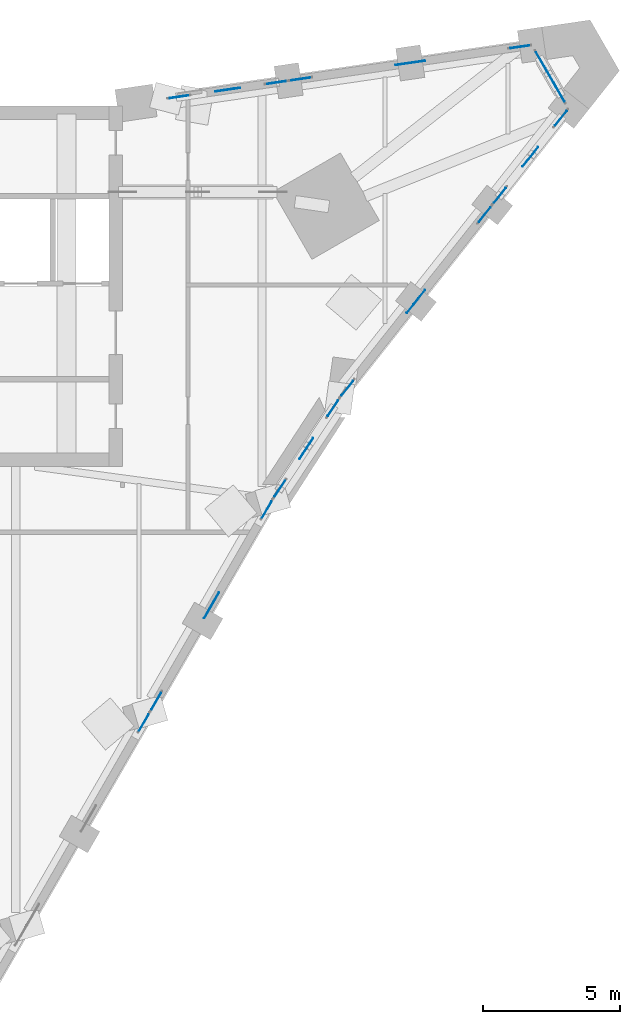
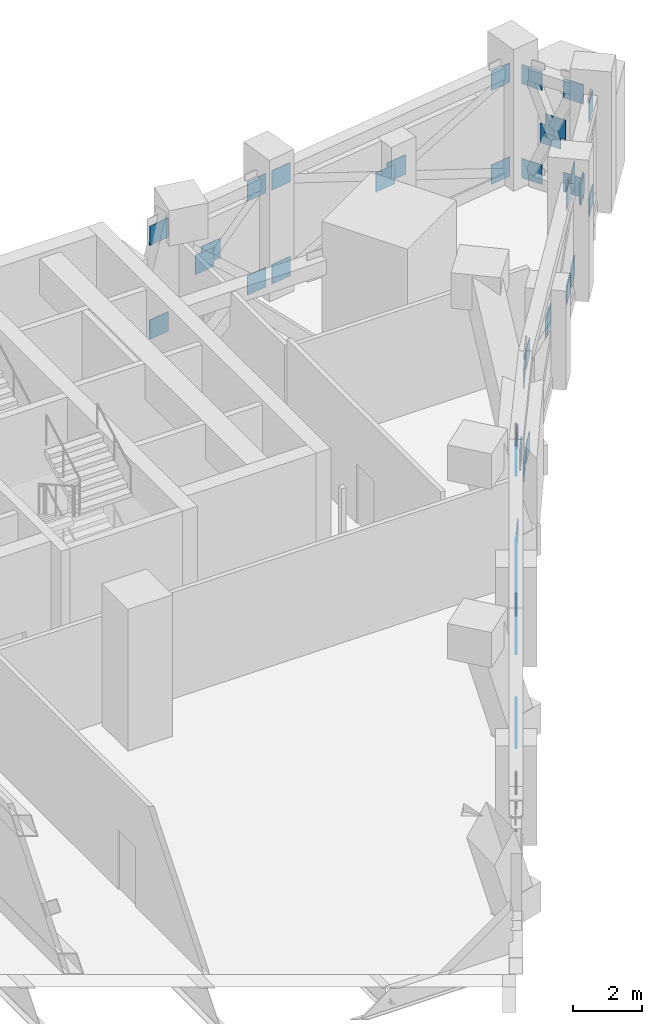
# One storey, part 18 of 20: 44 discrete accessories.
"""IFC4 building model written with IfcOpenShell, lengths in metres."""

from ifc_helpers import new_model, si_unit, direction, frame, origin, origin_2d, place, context, subcontext, project, spatial, rectangle, extrude, material, type_object, element, save


model = new_model("IFC4")

# Units and contexts
model_context = context("Model", 3, precision=1e-05, world=origin(), true_north=direction((0.0, 1.0)))
body_context = subcontext(model_context, "Body", "Model", "MODEL_VIEW")
ifc_project = project(units=[si_unit("LENGTHUNIT", "METRE"), si_unit("AREAUNIT", "SQUARE_METRE"), si_unit("VOLUMEUNIT", "CUBIC_METRE"), si_unit("PLANEANGLEUNIT", "RADIAN"), si_unit("MASSUNIT", "GRAM", prefix="KILO")], contexts=[model_context])

# Site, building, storey
site_placement = place(None, origin())
site = spatial("IfcSite", under=ifc_project, at=site_placement, CompositionType="ELEMENT")
building_placement = place(site_placement, origin())
building = spatial("IfcBuilding", under=site, at=building_placement, Name="Calabash Gate Tower", CompositionType="ELEMENT")
storey_placement = place(building_placement, frame((0.0, 0.0, 139.60009765625)))
storey = spatial("IfcBuildingStorey", under=building, at=storey_placement, Name="L32", CompositionType="ELEMENT", Elevation=139.60009765625)

# Discrete accessories
ifc_material = material(Name="Steel ASTM A572 Gr50", Category="steel")
discrete_accessory_type = type_object("IfcDiscreteAccessoryType", Name="Connection plate 25", PredefinedType="BRACKET", material=ifc_material)
for number, where, z_axis, x_axis, name in (
    (1, (18.181640625, -3.513427734375, 3.37939453125), (0.0, 0.0, 1.0), (0.499999984885, 0.866025412511, 0.0), "Connection plate Belt diagonal L32 48 end"),
    (2, (18.181640625, -3.513427734375, 0.0625), (0.0, 0.0, 1.0), (0.499999954655, 0.866025429964, 0.0), "Connection plate Belt diagonal (split) L32 50 half 2 of 2 end"),
    (3, (18.631591796875, -2.734130859375, 0.0625), (0.0, 0.0, 1.0), (0.49999993954, 0.866025438691, 0.0), "Connection plate Belt diagonal L32 53 start"),
    (4, (22.681640625, 4.28076171875, 3.37939453125), (0.0, 0.0, 1.0), (0.49999993954, 0.866025438691, 0.0), "Connection plate Belt diagonal L32 53 end"),
    (5, (18.631591796875, -2.734130859375, 3.37939453125), (0.0, 0.0, 1.0), (0.49999984885, 0.866025491051, 0.0), "Connection plate Belt diagonal (split) L32 54 half 1 of 2 start"),
    (6, (20.55615234375, 0.599365234375, 1.80322265625), (0.0, 0.0, 1.0), (0.49999984885, 0.866025491051, 0.0), "Connection plate Belt diagonal (split) L32 54 half 1 of 2 end"),
    (7, (20.757080078125, 0.947509765625, 1.638671875), (0.0, 0.0, 1.0), (0.49999984885, 0.866025491051, 0.0), "Connection plate Belt diagonal (split) L32 55 half 2 of 2 start"),
    (8, (22.681640625, 4.28076171875, 0.0625), (0.0, 0.0, 1.0), (0.49999984885, 0.866025491051, 0.0), "Connection plate Belt diagonal (split) L32 55 half 2 of 2 end"),
    (9, (23.155029296875, 5.046630859375, 0.0625), (0.0, 0.0, 1.0), (0.551059856866, 0.834465717781, 0.0), "Connection plate Belt diagonal L32 58 start"),
    (10, (25.097412109375, 7.988037109375, 3.37939453125), (0.0, 0.0, 1.0), (0.551059856866, 0.834465717781, 0.0), "Connection plate Belt diagonal L32 58 end"),
    (11, (23.155029296875, 5.046630859375, 3.37939453125), (0.0, 0.0, 1.0), (0.551060075328, 0.834465573513, 0.0), "Connection plate Belt diagonal (split) L32 59 half 1 of 2 start"),
    (12, (24.06494140625, 6.424560546875, 1.82568359375), (0.0, 0.0, 1.0), (0.551060075328, 0.834465573513, 0.0), "Connection plate Belt diagonal (split) L32 59 half 1 of 2 end"),
    (13, (24.1875, 6.610107421875, 1.6162109375), (0.0, 0.0, 1.0), (0.551059652967, 0.83446585243, 0.0), "Connection plate Belt diagonal (split) L32 60 half 2 of 2 start"),
    (14, (25.097412109375, 7.988037109375, 0.0625), (0.0, 0.0, 1.0), (0.551059652967, 0.83446585243, 0.0), "Connection plate Belt diagonal (split) L32 60 half 2 of 2 end"),
    (15, (25.62548828125, 8.718017578125, 0.0625), (0.0, 0.0, 1.0), (0.620301226961, 0.784363683396, 0.0), "Connection plate Belt diagonal L32 63 start"),
    (16, (30.64990234375, 15.0712890625, 3.37939453125), (0.0, 0.0, 1.0), (0.620301226961, 0.784363683396, 0.0), "Connection plate Belt diagonal L32 63 end"),
    (17, (25.62548828125, 8.718017578125, 3.37939453125), (0.0, 0.0, 1.0), (0.620301185892, 0.784363715875, 0.0), "Connection plate Belt diagonal (split) L32 64 half 1 of 2 start"),
    (18, (28.012939453125, 11.73681640625, 1.80322265625), (0.0, 0.0, 1.0), (0.620301185892, 0.784363715875, 0.0), "Connection plate Belt diagonal (split) L32 64 half 1 of 2 end"),
    (19, (28.262451171875, 12.05224609375, 1.638671875), (0.0, 0.0, 1.0), (0.620301185892, 0.784363715875, 0.0), "Connection plate Belt diagonal (split) L32 65 half 2 of 2 start"),
    (20, (30.64990234375, 15.0712890625, 0.0625), (0.0, 0.0, 1.0), (0.620301185892, 0.784363715875, 0.0), "Connection plate Belt diagonal (split) L32 65 half 2 of 2 end"),
    (21, (31.208251953125, 15.77734375, 0.0625), (0.0, 0.0, 1.0), (0.620301322789, 0.784363607612, 0.0), "Connection plate Belt diagonal L32 68 start"),
    (22, (33.441162109375, 18.600830078125, 3.37939453125), (0.0, 0.0, 1.0), (0.620301322789, 0.784363607612, 0.0), "Connection plate Belt diagonal L32 68 end"),
    (23, (31.208251953125, 15.77734375, 3.37939453125), (0.0, 0.0, 1.0), (0.620301377548, 0.784363564307, 0.0), "Connection plate Belt diagonal (split) L32 69 half 1 of 2 start"),
    (24, (32.2548828125, 17.100830078125, 1.82470703125), (0.0, 0.0, 1.0), (0.620301377548, 0.784363564307, 0.0), "Connection plate Belt diagonal (split) L32 69 half 1 of 2 end"),
    (25, (32.39453125, 17.27734375, 1.6171875), (0.0, 0.0, 1.0), (0.620301377548, 0.784363564307, 0.0), "Connection plate Belt diagonal (split) L32 70 half 2 of 2 start"),
    (26, (33.441162109375, 18.600830078125, 0.0625), (0.0, 0.0, 1.0), (0.620301377548, 0.784363564307, 0.0), "Connection plate Belt diagonal (split) L32 70 half 2 of 2 end"),
    (27, (33.397705078125, 19.512939453125, 0.0625), (0.0, 0.0, 1.0), (-0.500000136035, 0.866025325245, 0.0), "Connection plate Belt diagonal L32 73 start"),
    (28, (32.70263671875, 20.716796875, 3.37939453125), (0.0, 0.0, 1.0), (-0.500000136035, 0.866025325245, 0.0), "Connection plate Belt diagonal L32 73 end"),
    (29, (33.397705078125, 19.512939453125, 3.37939453125), (0.0, 0.0, 1.0), (-0.50000039299, 0.866025176892, 0.0), "Connection plate Belt diagonal (split) L32 74 half 1 of 2 start"),
    (30, (33.09130859375, 20.04345703125, 1.91796875), (0.0, 0.0, 1.0), (-0.50000039299, 0.866025176892, 0.0), "Connection plate Belt diagonal (split) L32 74 half 1 of 2 end"),
    (31, (33.0087890625, 20.1865234375, 1.52392578125), (0.0, 0.0, 1.0), (-0.50000039299, 0.866025176892, 0.0), "Connection plate Belt diagonal (split) L32 75 half 2 of 2 start"),
    (32, (32.70263671875, 20.716796875, 0.0625), (0.0, 0.0, 1.0), (-0.50000039299, 0.866025176892, 0.0), "Connection plate Belt diagonal (split) L32 75 half 2 of 2 end"),
    (33, (31.9345703125, 21.210693359375, 0.0625), (0.0, 0.0, 1.0), (-0.98942952201, -0.145014554354, 0.0), "Connection plate Belt diagonal L32 78 start"),
    (34, (23.920166015625, 20.0361328125, 3.37939453125), (0.0, 0.0, 1.0), (-0.98942952201, -0.145014554354, 0.0), "Connection plate Belt diagonal L32 78 end"),
    (35, (31.9345703125, 21.210693359375, 3.37939453125), (0.0, 0.0, 1.0), (-0.989429506824, -0.145014657967, 0.0), "Connection plate Belt diagonal (split) L32 79 half 1 of 2 start"),
    (36, (28.126220703125, 20.652587890625, 1.80322265625), (0.0, 0.0, 1.0), (-0.989429506824, -0.145014657967, 0.0), "Connection plate Belt diagonal (split) L32 79 half 1 of 2 end"),
    (37, (27.728515625, 20.59423828125, 1.638671875), (0.0, 0.0, 1.0), (-0.989429506824, -0.145014657967, 0.0), "Connection plate Belt diagonal (split) L32 80 half 2 of 2 start"),
    (38, (23.920166015625, 20.0361328125, 0.0625), (0.0, 0.0, 1.0), (-0.989429506824, -0.145014657967, 0.0), "Connection plate Belt diagonal (split) L32 80 half 2 of 2 end"),
    (39, (23.02978515625, 19.905517578125, 0.0625), (0.0, 0.0, 1.0), (-0.989429537196, -0.145014450742, 0.0), "Connection plate Belt diagonal L32 83 start"),
    (40, (19.4677734375, 19.383544921875, 3.37939453125), (0.0, 0.0, 1.0), (-0.989429537196, -0.145014450742, 0.0), "Connection plate Belt diagonal L32 83 end"),
    (41, (23.02978515625, 19.905517578125, 3.37939453125), (0.0, 0.0, 1.0), (-0.989429539727, -0.145014433473, 0.0), "Connection plate Belt diagonal (split) L32 84 half 1 of 2 start"),
    (42, (21.35986328125, 19.660888671875, 1.82470703125), (0.0, 0.0, 1.0), (-0.989429539727, -0.145014433473, 0.0), "Connection plate Belt diagonal (split) L32 84 half 1 of 2 end"),
    (43, (21.137451171875, 19.628173828125, 1.6171875), (0.0, 0.0, 1.0), (-0.989429539727, -0.145014433473, 0.0), "Connection plate Belt diagonal (split) L32 85 half 2 of 2 start"),
    (44, (19.4677734375, 19.383544921875, 0.0625), (0.0, 0.0, 1.0), (-0.989429539727, -0.145014433473, 0.0), "Connection plate Belt diagonal (split) L32 85 half 2 of 2 end"),
):
    element("IfcDiscreteAccessory", number, at=place(storey_placement, frame(where, z_axis=z_axis, x_axis=x_axis)), inside=storey, type_object=discrete_accessory_type, Name=name, PredefinedType="BRACKET", context=body_context, shape_type="SweptSolid", body=[
        extrude(rectangle(XDim=0.687744140625, YDim=0.02490234375, at=origin_2d()), origin(), (0.0, 0.0, 1.0), 0.687744140625),
    ])

save(model, "model.ifc")
